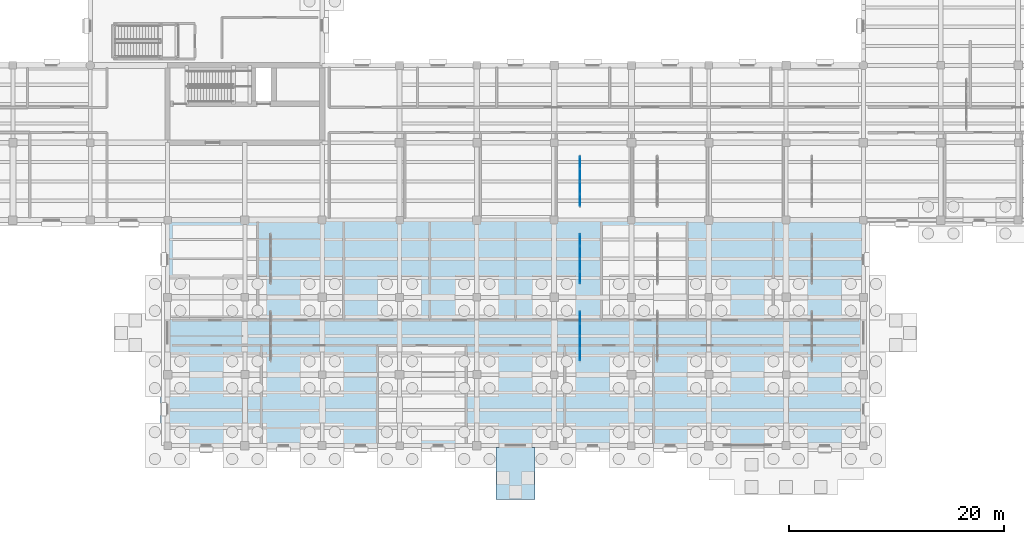
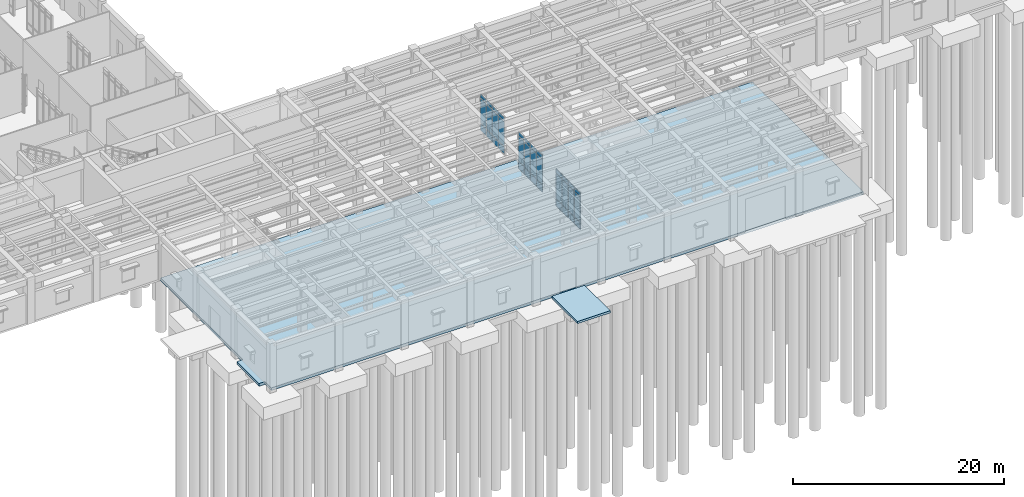
# One storey, part 52 of 100: 36 plates, 2 slabs, 3 elements without a shape of their own.
"""IFC4 building model written with IfcOpenShell, lengths in metres."""

from ifc_helpers import new_model, si_unit, direction, frame, origin, origin_2d, place, context, subcontext, project, spatial, polyline, rectangle, outline, extrude, material, layer, layer_set, type_object, element, aggregate, save


model = new_model("IFC4")

# Units and contexts
model_context = context("Model", 3, precision=1e-05, world=origin(), true_north=direction((0.0, 1.0)))
body_context = subcontext(model_context, "Body", "Model", "MODEL_VIEW")
ifc_project = project(units=[si_unit("LENGTHUNIT", "METRE"), si_unit("AREAUNIT", "SQUARE_METRE"), si_unit("VOLUMEUNIT", "CUBIC_METRE"), si_unit("PLANEANGLEUNIT", "RADIAN"), si_unit("MASSUNIT", "GRAM", prefix="KILO")], contexts=[model_context])

# Site, building, storey
site_placement = place(None, origin())
site = spatial("IfcSite", under=ifc_project, at=site_placement, CompositionType="ELEMENT")
building_placement = place(site_placement, origin())
building = spatial("IfcBuilding", under=site, at=building_placement, Name="Mithqara Police Headquarters", CompositionType="ELEMENT")
storey_placement = place(building_placement, origin())
storey = spatial("IfcBuildingStorey", under=building, at=storey_placement, Name="L00", CompositionType="ELEMENT", Elevation=0.0)

# Curtain wall, plates
ifc_material_1 = material(Name="Bronze anodised aluminium 6063-T6", Category="aluminium")
curtain_wall_type = type_object("IfcCurtainWallType", Name="CURTAIN WALL 4700X4400", PredefinedType="USERDEFINED", material=ifc_material_1)
curtain_wall_1_placement = place(storey_placement, origin())
curtain_wall_1 = element("IfcCurtainWall", 1, at=curtain_wall_1_placement, inside=storey, type_object=curtain_wall_type, Name="L00 Unitised Glazing CW-14 (CW-INT-L00-X16-Y02-0)", ObjectType="UNITISED GLAZING", PredefinedType="USERDEFINED")
ifc_material_2 = material(Name="Spectrally selective double low-e glass", Category="glass")
ifc_layer_1 = layer(ifc_material_2, 0.028076171875, Name="Spectrally selective double low-e glass")
ifc_layer_set_1 = layer_set([ifc_layer_1], Name="Spectrally selective double low-e glass")
plate_type_1 = type_object("IfcPlateType", Name="CWPANEL GLASS28", PredefinedType="CURTAIN_PANEL", material=ifc_layer_set_1)
plate_1_placement = place(storey_placement, frame((118.199951171875, 15.65625, 0.074951171875), z_axis=(0.0, 0.0, 1.0), x_axis=(0.0, 1.0, 0.0)))
plate_1 = element("IfcPlate", 2, at=plate_1_placement, type_object=plate_type_1, Name="CW-14 panel 1.1", PredefinedType="CURTAIN_PANEL", context=body_context, shape_type="SweptSolid", body=[
    extrude(rectangle(XDim=1.0625, YDim=0.028076171875, at=origin_2d()), origin(), (0.0, 0.0, 1.0), 0.78759765625),
])
plate_2_placement = place(storey_placement, frame((118.199951171875, 15.65625, 0.9375), z_axis=(0.0, 0.0, 1.0), x_axis=(0.0, 1.0, 0.0)))
plate_2 = element("IfcPlate", 3, at=plate_2_placement, type_object=plate_type_1, Name="CW-14 panel 1.2", PredefinedType="CURTAIN_PANEL", context=body_context, shape_type="SweptSolid", body=[
    extrude(rectangle(XDim=1.0625, YDim=0.028076171875, at=origin_2d()), origin(), (0.0, 0.0, 1.0), 2.875),
])
plate_3_placement = place(storey_placement, frame((118.199951171875, 15.65625, 3.887451171875), z_axis=(0.0, 0.0, 1.0), x_axis=(0.0, 1.0, 0.0)))
plate_3 = element("IfcPlate", 4, at=plate_3_placement, type_object=plate_type_1, Name="CW-14 panel 1.3", PredefinedType="CURTAIN_PANEL", context=body_context, shape_type="SweptSolid", body=[
    extrude(rectangle(XDim=1.0625, YDim=0.028076171875, at=origin_2d()), origin(), (0.0, 0.0, 1.0), 0.4375),
])
plate_4_placement = place(storey_placement, frame((118.199951171875, 16.8125, 0.074951171875), z_axis=(0.0, 0.0, 1.0), x_axis=(0.0, 1.0, 0.0)))
plate_4 = element("IfcPlate", 5, at=plate_4_placement, type_object=plate_type_1, Name="CW-14 panel 2.1", PredefinedType="CURTAIN_PANEL", context=body_context, shape_type="SweptSolid", body=[
    extrude(rectangle(XDim=1.10009765625, YDim=0.028076171875, at=origin_2d()), origin(), (0.0, 0.0, 1.0), 0.78759765625),
])
plate_5_placement = place(storey_placement, frame((118.199951171875, 16.8125, 0.9375), z_axis=(0.0, 0.0, 1.0), x_axis=(0.0, 1.0, 0.0)))
plate_5 = element("IfcPlate", 6, at=plate_5_placement, type_object=plate_type_1, Name="CW-14 panel 2.2", PredefinedType="CURTAIN_PANEL", context=body_context, shape_type="SweptSolid", body=[
    extrude(rectangle(XDim=1.10009765625, YDim=0.028076171875, at=origin_2d()), origin(), (0.0, 0.0, 1.0), 2.875),
])
plate_6_placement = place(storey_placement, frame((118.199951171875, 16.8125, 3.887451171875), z_axis=(0.0, 0.0, 1.0), x_axis=(0.0, 1.0, 0.0)))
plate_6 = element("IfcPlate", 7, at=plate_6_placement, type_object=plate_type_1, Name="CW-14 panel 2.3", PredefinedType="CURTAIN_PANEL", context=body_context, shape_type="SweptSolid", body=[
    extrude(rectangle(XDim=1.10009765625, YDim=0.028076171875, at=origin_2d()), origin(), (0.0, 0.0, 1.0), 0.4375),
])
plate_7_placement = place(storey_placement, frame((118.199951171875, 17.987548828125, 0.074951171875), z_axis=(0.0, 0.0, 1.0), x_axis=(0.0, 1.0, 0.0)))
plate_7 = element("IfcPlate", 8, at=plate_7_placement, type_object=plate_type_1, Name="CW-14 panel 3.1", PredefinedType="CURTAIN_PANEL", context=body_context, shape_type="SweptSolid", body=[
    extrude(rectangle(XDim=1.10009765625, YDim=0.028076171875, at=origin_2d()), origin(), (0.0, 0.0, 1.0), 0.78759765625),
])
plate_8_placement = place(storey_placement, frame((118.199951171875, 17.987548828125, 0.9375), z_axis=(0.0, 0.0, 1.0), x_axis=(0.0, 1.0, 0.0)))
plate_8 = element("IfcPlate", 9, at=plate_8_placement, type_object=plate_type_1, Name="CW-14 panel 3.2", PredefinedType="CURTAIN_PANEL", context=body_context, shape_type="SweptSolid", body=[
    extrude(rectangle(XDim=1.10009765625, YDim=0.028076171875, at=origin_2d()), origin(), (0.0, 0.0, 1.0), 2.875),
])
plate_9_placement = place(storey_placement, frame((118.199951171875, 17.987548828125, 3.887451171875), z_axis=(0.0, 0.0, 1.0), x_axis=(0.0, 1.0, 0.0)))
plate_9 = element("IfcPlate", 10, at=plate_9_placement, type_object=plate_type_1, Name="CW-14 panel 3.3", PredefinedType="CURTAIN_PANEL", context=body_context, shape_type="SweptSolid", body=[
    extrude(rectangle(XDim=1.10009765625, YDim=0.028076171875, at=origin_2d()), origin(), (0.0, 0.0, 1.0), 0.4375),
])
plate_10_placement = place(storey_placement, frame((118.199951171875, 19.143798828125, 0.074951171875), z_axis=(0.0, 0.0, 1.0), x_axis=(0.0, 1.0, 0.0)))
plate_10 = element("IfcPlate", 11, at=plate_10_placement, type_object=plate_type_1, Name="CW-14 panel 4.1", PredefinedType="CURTAIN_PANEL", context=body_context, shape_type="SweptSolid", body=[
    extrude(rectangle(XDim=1.0625, YDim=0.028076171875, at=origin_2d()), origin(), (0.0, 0.0, 1.0), 0.78759765625),
])
plate_11_placement = place(storey_placement, frame((118.199951171875, 19.143798828125, 0.9375), z_axis=(0.0, 0.0, 1.0), x_axis=(0.0, 1.0, 0.0)))
plate_11 = element("IfcPlate", 12, at=plate_11_placement, type_object=plate_type_1, Name="CW-14 panel 4.2", PredefinedType="CURTAIN_PANEL", context=body_context, shape_type="SweptSolid", body=[
    extrude(rectangle(XDim=1.0625, YDim=0.028076171875, at=origin_2d()), origin(), (0.0, 0.0, 1.0), 2.875),
])
plate_12_placement = place(storey_placement, frame((118.199951171875, 19.143798828125, 3.887451171875), z_axis=(0.0, 0.0, 1.0), x_axis=(0.0, 1.0, 0.0)))
plate_12 = element("IfcPlate", 13, at=plate_12_placement, type_object=plate_type_1, Name="CW-14 panel 4.3", PredefinedType="CURTAIN_PANEL", context=body_context, shape_type="SweptSolid", body=[
    extrude(rectangle(XDim=1.0625, YDim=0.028076171875, at=origin_2d()), origin(), (0.0, 0.0, 1.0), 0.4375),
])
aggregate(curtain_wall_1, [plate_1, plate_2, plate_3, plate_4, plate_5, plate_6, plate_7, plate_8, plate_9, plate_10, plate_11, plate_12])

curtain_wall_2_placement = place(storey_placement, origin())
curtain_wall_2 = element("IfcCurtainWall", 14, at=curtain_wall_2_placement, inside=storey, type_object=curtain_wall_type, Name="L00 Unitised Glazing CW-14 (CW-INT-L00-X16-Y03-0)", ObjectType="UNITISED GLAZING", PredefinedType="USERDEFINED")
plate_13_placement = place(storey_placement, frame((118.199951171875, 22.856201171875, 0.074951171875), z_axis=(0.0, 0.0, 1.0), x_axis=(0.0, 1.0, 0.0)))
plate_13 = element("IfcPlate", 15, at=plate_13_placement, type_object=plate_type_1, Name="CW-14 panel 1.1", PredefinedType="CURTAIN_PANEL", context=body_context, shape_type="SweptSolid", body=[
    extrude(rectangle(XDim=1.0625, YDim=0.028076171875, at=origin_2d()), origin(), (0.0, 0.0, 1.0), 0.78759765625),
])
plate_14_placement = place(storey_placement, frame((118.199951171875, 22.856201171875, 0.9375), z_axis=(0.0, 0.0, 1.0), x_axis=(0.0, 1.0, 0.0)))
plate_14 = element("IfcPlate", 16, at=plate_14_placement, type_object=plate_type_1, Name="CW-14 panel 1.2", PredefinedType="CURTAIN_PANEL", context=body_context, shape_type="SweptSolid", body=[
    extrude(rectangle(XDim=1.0625, YDim=0.028076171875, at=origin_2d()), origin(), (0.0, 0.0, 1.0), 2.875),
])
plate_15_placement = place(storey_placement, frame((118.199951171875, 22.856201171875, 3.887451171875), z_axis=(0.0, 0.0, 1.0), x_axis=(0.0, 1.0, 0.0)))
plate_15 = element("IfcPlate", 17, at=plate_15_placement, type_object=plate_type_1, Name="CW-14 panel 1.3", PredefinedType="CURTAIN_PANEL", context=body_context, shape_type="SweptSolid", body=[
    extrude(rectangle(XDim=1.0625, YDim=0.028076171875, at=origin_2d()), origin(), (0.0, 0.0, 1.0), 0.4375),
])
plate_16_placement = place(storey_placement, frame((118.199951171875, 24.012451171875, 0.074951171875), z_axis=(0.0, 0.0, 1.0), x_axis=(0.0, 1.0, 0.0)))
plate_16 = element("IfcPlate", 18, at=plate_16_placement, type_object=plate_type_1, Name="CW-14 panel 2.1", PredefinedType="CURTAIN_PANEL", context=body_context, shape_type="SweptSolid", body=[
    extrude(rectangle(XDim=1.10009765625, YDim=0.028076171875, at=origin_2d()), origin(), (0.0, 0.0, 1.0), 0.78759765625),
])
plate_17_placement = place(storey_placement, frame((118.199951171875, 24.012451171875, 0.9375), z_axis=(0.0, 0.0, 1.0), x_axis=(0.0, 1.0, 0.0)))
plate_17 = element("IfcPlate", 19, at=plate_17_placement, type_object=plate_type_1, Name="CW-14 panel 2.2", PredefinedType="CURTAIN_PANEL", context=body_context, shape_type="SweptSolid", body=[
    extrude(rectangle(XDim=1.10009765625, YDim=0.028076171875, at=origin_2d()), origin(), (0.0, 0.0, 1.0), 2.875),
])
plate_18_placement = place(storey_placement, frame((118.199951171875, 24.012451171875, 3.887451171875), z_axis=(0.0, 0.0, 1.0), x_axis=(0.0, 1.0, 0.0)))
plate_18 = element("IfcPlate", 20, at=plate_18_placement, type_object=plate_type_1, Name="CW-14 panel 2.3", PredefinedType="CURTAIN_PANEL", context=body_context, shape_type="SweptSolid", body=[
    extrude(rectangle(XDim=1.10009765625, YDim=0.028076171875, at=origin_2d()), origin(), (0.0, 0.0, 1.0), 0.4375),
])
plate_19_placement = place(storey_placement, frame((118.199951171875, 25.1875, 0.074951171875), z_axis=(0.0, 0.0, 1.0), x_axis=(0.0, 1.0, 0.0)))
plate_19 = element("IfcPlate", 21, at=plate_19_placement, type_object=plate_type_1, Name="CW-14 panel 3.1", PredefinedType="CURTAIN_PANEL", context=body_context, shape_type="SweptSolid", body=[
    extrude(rectangle(XDim=1.10009765625, YDim=0.028076171875, at=origin_2d()), origin(), (0.0, 0.0, 1.0), 0.78759765625),
])
plate_20_placement = place(storey_placement, frame((118.199951171875, 25.1875, 0.9375), z_axis=(0.0, 0.0, 1.0), x_axis=(0.0, 1.0, 0.0)))
plate_20 = element("IfcPlate", 22, at=plate_20_placement, type_object=plate_type_1, Name="CW-14 panel 3.2", PredefinedType="CURTAIN_PANEL", context=body_context, shape_type="SweptSolid", body=[
    extrude(rectangle(XDim=1.10009765625, YDim=0.028076171875, at=origin_2d()), origin(), (0.0, 0.0, 1.0), 2.875),
])
plate_21_placement = place(storey_placement, frame((118.199951171875, 25.1875, 3.887451171875), z_axis=(0.0, 0.0, 1.0), x_axis=(0.0, 1.0, 0.0)))
plate_21 = element("IfcPlate", 23, at=plate_21_placement, type_object=plate_type_1, Name="CW-14 panel 3.3", PredefinedType="CURTAIN_PANEL", context=body_context, shape_type="SweptSolid", body=[
    extrude(rectangle(XDim=1.10009765625, YDim=0.028076171875, at=origin_2d()), origin(), (0.0, 0.0, 1.0), 0.4375),
])
plate_22_placement = place(storey_placement, frame((118.199951171875, 26.34375, 0.074951171875), z_axis=(0.0, 0.0, 1.0), x_axis=(0.0, 1.0, 0.0)))
plate_22 = element("IfcPlate", 24, at=plate_22_placement, type_object=plate_type_1, Name="CW-14 panel 4.1", PredefinedType="CURTAIN_PANEL", context=body_context, shape_type="SweptSolid", body=[
    extrude(rectangle(XDim=1.0625, YDim=0.028076171875, at=origin_2d()), origin(), (0.0, 0.0, 1.0), 0.78759765625),
])
plate_23_placement = place(storey_placement, frame((118.199951171875, 26.34375, 0.9375), z_axis=(0.0, 0.0, 1.0), x_axis=(0.0, 1.0, 0.0)))
plate_23 = element("IfcPlate", 25, at=plate_23_placement, type_object=plate_type_1, Name="CW-14 panel 4.2", PredefinedType="CURTAIN_PANEL", context=body_context, shape_type="SweptSolid", body=[
    extrude(rectangle(XDim=1.0625, YDim=0.028076171875, at=origin_2d()), origin(), (0.0, 0.0, 1.0), 2.875),
])
plate_24_placement = place(storey_placement, frame((118.199951171875, 26.34375, 3.887451171875), z_axis=(0.0, 0.0, 1.0), x_axis=(0.0, 1.0, 0.0)))
plate_24 = element("IfcPlate", 26, at=plate_24_placement, type_object=plate_type_1, Name="CW-14 panel 4.3", PredefinedType="CURTAIN_PANEL", context=body_context, shape_type="SweptSolid", body=[
    extrude(rectangle(XDim=1.0625, YDim=0.028076171875, at=origin_2d()), origin(), (0.0, 0.0, 1.0), 0.4375),
])
aggregate(curtain_wall_2, [plate_13, plate_14, plate_15, plate_16, plate_17, plate_18, plate_19, plate_20, plate_21, plate_22, plate_23, plate_24])

curtain_wall_3_placement = place(storey_placement, origin())
curtain_wall_3 = element("IfcCurtainWall", 27, at=curtain_wall_3_placement, inside=storey, type_object=curtain_wall_type, Name="L00 Unitised Glazing CW-14 (CW-INT-L00-X16-Y01-0)", ObjectType="UNITISED GLAZING", PredefinedType="USERDEFINED")
ifc_material_3 = material(Name="Insulated bronze aluminium spandrel panel", Category="aluminium")
ifc_layer_2 = layer(ifc_material_3, 0.048095703125, Name="Insulated bronze aluminium spandrel panel")
ifc_layer_set_2 = layer_set([ifc_layer_2], Name="Insulated bronze aluminium spandrel panel")
plate_type_2 = type_object("IfcPlateType", Name="CWPANEL SPANDREL48", PredefinedType="CURTAIN_PANEL", material=ifc_layer_set_2)
plate_25_placement = place(storey_placement, frame((118.199951171875, 8.456298828125, 0.074951171875), z_axis=(0.0, 0.0, 1.0), x_axis=(0.0, 1.0, 0.0)))
plate_25 = element("IfcPlate", 28, at=plate_25_placement, type_object=plate_type_2, Name="CW-14 panel 1.1", PredefinedType="CURTAIN_PANEL", context=body_context, shape_type="SweptSolid", body=[
    extrude(rectangle(XDim=1.0625, YDim=0.048095703125, at=origin_2d()), origin(), (0.0, 0.0, 1.0), 0.78759765625),
])
plate_26_placement = place(storey_placement, frame((118.199951171875, 8.456298828125, 0.9375), z_axis=(0.0, 0.0, 1.0), x_axis=(0.0, 1.0, 0.0)))
plate_26 = element("IfcPlate", 29, at=plate_26_placement, type_object=plate_type_2, Name="CW-14 panel 1.2", PredefinedType="CURTAIN_PANEL", context=body_context, shape_type="SweptSolid", body=[
    extrude(rectangle(XDim=1.0625, YDim=0.048095703125, at=origin_2d()), origin(), (0.0, 0.0, 1.0), 2.875),
])
plate_27_placement = place(storey_placement, frame((118.199951171875, 8.456298828125, 3.887451171875), z_axis=(0.0, 0.0, 1.0), x_axis=(0.0, 1.0, 0.0)))
plate_27 = element("IfcPlate", 30, at=plate_27_placement, type_object=plate_type_2, Name="CW-14 panel 1.3", PredefinedType="CURTAIN_PANEL", context=body_context, shape_type="SweptSolid", body=[
    extrude(rectangle(XDim=1.0625, YDim=0.048095703125, at=origin_2d()), origin(), (0.0, 0.0, 1.0), 0.4375),
])
plate_28_placement = place(storey_placement, frame((118.199951171875, 9.612548828125, 0.074951171875), z_axis=(0.0, 0.0, 1.0), x_axis=(0.0, 1.0, 0.0)))
plate_28 = element("IfcPlate", 31, at=plate_28_placement, type_object=plate_type_2, Name="CW-14 panel 2.1", PredefinedType="CURTAIN_PANEL", context=body_context, shape_type="SweptSolid", body=[
    extrude(rectangle(XDim=1.10009765625, YDim=0.048095703125, at=origin_2d()), origin(), (0.0, 0.0, 1.0), 0.78759765625),
])
plate_29_placement = place(storey_placement, frame((118.199951171875, 9.612548828125, 0.9375), z_axis=(0.0, 0.0, 1.0), x_axis=(0.0, 1.0, 0.0)))
plate_29 = element("IfcPlate", 32, at=plate_29_placement, type_object=plate_type_2, Name="CW-14 panel 2.2", PredefinedType="CURTAIN_PANEL", context=body_context, shape_type="SweptSolid", body=[
    extrude(rectangle(XDim=1.10009765625, YDim=0.048095703125, at=origin_2d()), origin(), (0.0, 0.0, 1.0), 2.875),
])
plate_30_placement = place(storey_placement, frame((118.199951171875, 9.612548828125, 3.887451171875), z_axis=(0.0, 0.0, 1.0), x_axis=(0.0, 1.0, 0.0)))
plate_30 = element("IfcPlate", 33, at=plate_30_placement, type_object=plate_type_2, Name="CW-14 panel 2.3", PredefinedType="CURTAIN_PANEL", context=body_context, shape_type="SweptSolid", body=[
    extrude(rectangle(XDim=1.10009765625, YDim=0.048095703125, at=origin_2d()), origin(), (0.0, 0.0, 1.0), 0.4375),
])
plate_31_placement = place(storey_placement, frame((118.199951171875, 10.78759765625, 0.074951171875), z_axis=(0.0, 0.0, 1.0), x_axis=(0.0, 1.0, 0.0)))
plate_31 = element("IfcPlate", 34, at=plate_31_placement, type_object=plate_type_2, Name="CW-14 panel 3.1", PredefinedType="CURTAIN_PANEL", context=body_context, shape_type="SweptSolid", body=[
    extrude(rectangle(XDim=1.10009765625, YDim=0.048095703125, at=origin_2d()), origin(), (0.0, 0.0, 1.0), 0.78759765625),
])
plate_32_placement = place(storey_placement, frame((118.199951171875, 10.78759765625, 0.9375), z_axis=(0.0, 0.0, 1.0), x_axis=(0.0, 1.0, 0.0)))
plate_32 = element("IfcPlate", 35, at=plate_32_placement, type_object=plate_type_2, Name="CW-14 panel 3.2", PredefinedType="CURTAIN_PANEL", context=body_context, shape_type="SweptSolid", body=[
    extrude(rectangle(XDim=1.10009765625, YDim=0.048095703125, at=origin_2d()), origin(), (0.0, 0.0, 1.0), 2.875),
])
plate_33_placement = place(storey_placement, frame((118.199951171875, 10.78759765625, 3.887451171875), z_axis=(0.0, 0.0, 1.0), x_axis=(0.0, 1.0, 0.0)))
plate_33 = element("IfcPlate", 36, at=plate_33_placement, type_object=plate_type_2, Name="CW-14 panel 3.3", PredefinedType="CURTAIN_PANEL", context=body_context, shape_type="SweptSolid", body=[
    extrude(rectangle(XDim=1.10009765625, YDim=0.048095703125, at=origin_2d()), origin(), (0.0, 0.0, 1.0), 0.4375),
])
plate_34_placement = place(storey_placement, frame((118.199951171875, 11.94384765625, 0.074951171875), z_axis=(0.0, 0.0, 1.0), x_axis=(0.0, 1.0, 0.0)))
plate_34 = element("IfcPlate", 37, at=plate_34_placement, type_object=plate_type_2, Name="CW-14 panel 4.1", PredefinedType="CURTAIN_PANEL", context=body_context, shape_type="SweptSolid", body=[
    extrude(rectangle(XDim=1.0625, YDim=0.048095703125, at=origin_2d()), origin(), (0.0, 0.0, 1.0), 0.78759765625),
])
plate_35_placement = place(storey_placement, frame((118.199951171875, 11.94384765625, 0.9375), z_axis=(0.0, 0.0, 1.0), x_axis=(0.0, 1.0, 0.0)))
plate_35 = element("IfcPlate", 38, at=plate_35_placement, type_object=plate_type_2, Name="CW-14 panel 4.2", PredefinedType="CURTAIN_PANEL", context=body_context, shape_type="SweptSolid", body=[
    extrude(rectangle(XDim=1.0625, YDim=0.048095703125, at=origin_2d()), origin(), (0.0, 0.0, 1.0), 2.875),
])
plate_36_placement = place(storey_placement, frame((118.199951171875, 11.94384765625, 3.887451171875), z_axis=(0.0, 0.0, 1.0), x_axis=(0.0, 1.0, 0.0)))
plate_36 = element("IfcPlate", 39, at=plate_36_placement, type_object=plate_type_2, Name="CW-14 panel 4.3", PredefinedType="CURTAIN_PANEL", context=body_context, shape_type="SweptSolid", body=[
    extrude(rectangle(XDim=1.0625, YDim=0.048095703125, at=origin_2d()), origin(), (0.0, 0.0, 1.0), 0.4375),
])
aggregate(curtain_wall_3, [plate_25, plate_26, plate_27, plate_28, plate_29, plate_30, plate_31, plate_32, plate_33, plate_34, plate_35, plate_36])

# Slabs
ifc_material_4 = material(Name="Concrete C40/50", Category="concrete")
ifc_layer_3 = layer(ifc_material_4, 0.320068359375, Name="Concrete C40/50")
ifc_layer_set_3 = layer_set([ifc_layer_3], Name="Concrete C40/50")
slab_type_1 = type_object("IfcSlabType", Name="FLOOR SLAB 320", PredefinedType="FLOOR", material=ifc_layer_set_3)
slab_1_placement = place(storey_placement, frame((0.0, 0.0, -0.320068359375)))
element("IfcSlab", 40, at=slab_1_placement, inside=storey, type_object=slab_type_1, Name="L00 Structural Slab L00-V6S", PredefinedType="FLOOR", context=body_context, shape_type="SweptSolid", body=[
    extrude(outline(polyline([(79.14990234375, 5.39990234375), (79.800048828125, 5.39990234375), (79.800048828125, 21.0), (144.60009765625, 21.0), (144.60009765625, 0.0), (79.800048828125, 0.0), (79.800048828125, 1.199951171875), (79.14990234375, 1.199951171875), (79.14990234375, 5.39990234375)])), origin(), (0.0, 0.0, 1.0), 0.320068359375),
])
ifc_layer_4 = layer(ifc_material_4, 0.260009765625, Name="Concrete C40/50")
ifc_layer_set_4 = layer_set([ifc_layer_4], Name="Concrete C40/50")
slab_type_2 = type_object("IfcSlabType", Name="PAVING SLAB 260", PredefinedType="FLOOR", material=ifc_layer_set_4)
slab_2_placement = place(storey_placement, frame((0.0, 0.0, -0.260009765625)))
element("IfcSlab", 41, at=slab_2_placement, inside=storey, type_object=slab_type_2, Name="Ground Exit Threshold Apron 2", PredefinedType="FLOOR", context=body_context, shape_type="SweptSolid", body=[
    extrude(outline(polyline([(114.0, -0.159912109375), (114.0, -5.010009765625), (110.39990234375, -5.010009765625), (110.39990234375, -0.159912109375), (114.0, -0.159912109375)])), origin(), (0.0, 0.0, 1.0), 0.260009765625),
])

save(model, "model.ifc")
